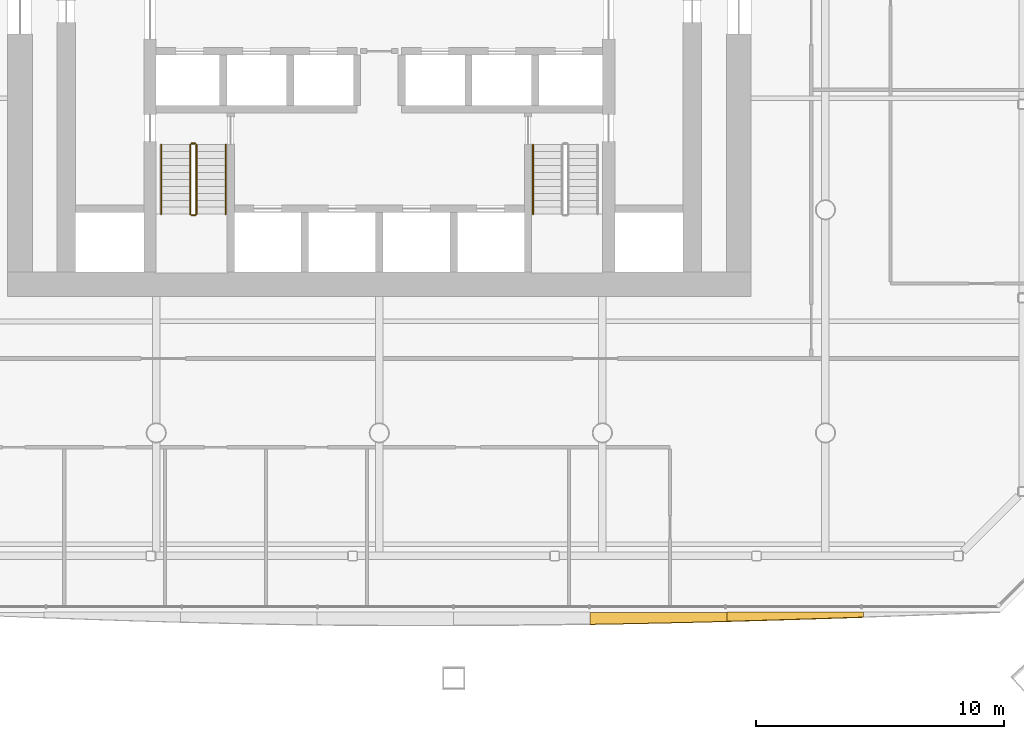
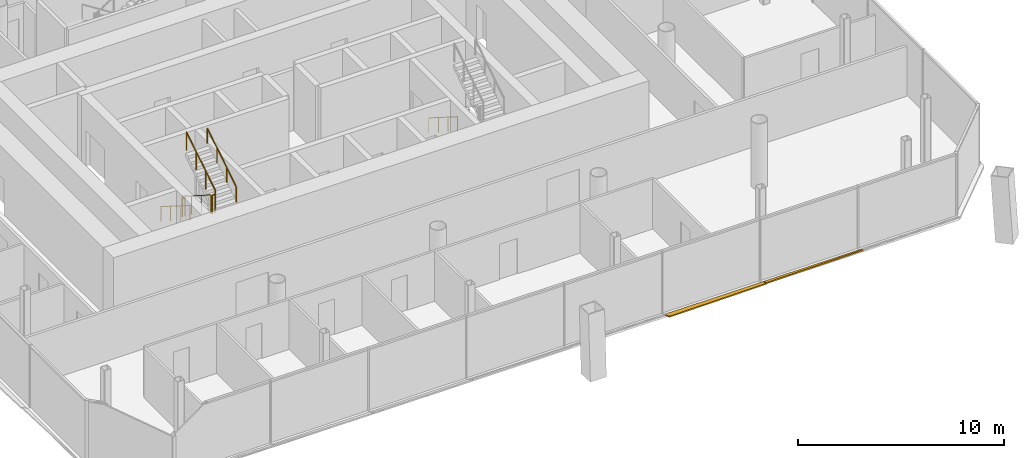
# One storey, part 16 of 19: 7 railings, 2 shading devices.
"""IFC4 building model written with IfcOpenShell, lengths in metres."""

from ifc_helpers import new_model, si_unit, direction, frame, origin, origin_2d, place, context, subcontext, project, spatial, polyline, circle, outline, extrude, material, layer, layer_set, type_object, element, save


model = new_model("IFC4")

# Units and contexts
model_context = context("Model", 3, precision=1e-05, world=origin(), true_north=direction((0.0, 1.0)))
body_context = subcontext(model_context, "Body", "Model", "MODEL_VIEW")
ifc_project = project(units=[si_unit("LENGTHUNIT", "METRE"), si_unit("AREAUNIT", "SQUARE_METRE"), si_unit("VOLUMEUNIT", "CUBIC_METRE"), si_unit("PLANEANGLEUNIT", "RADIAN"), si_unit("MASSUNIT", "GRAM", prefix="KILO")], contexts=[model_context])

# Site, building, storey
site_placement = place(None, origin())
site = spatial("IfcSite", under=ifc_project, at=site_placement, CompositionType="ELEMENT")
building_placement = place(site_placement, origin())
building = spatial("IfcBuilding", under=site, at=building_placement, Name="Tskaro Facet Tower", CompositionType="ELEMENT")
storey_placement = place(building_placement, frame((0.0, 0.0, 77.699951171875)))
storey = spatial("IfcBuildingStorey", under=building, at=storey_placement, Name="L18", CompositionType="ELEMENT", Elevation=77.699951171875)

# Shading devices
ifc_material_1 = material(Name="Bronze anodised aluminium 6063-T6", Category="aluminium")
ifc_layer = layer(ifc_material_1, 0.06005859375, Name="Bronze anodised aluminium 6063-T6")
ifc_layer_set = layer_set([ifc_layer], Name="Bronze anodised aluminium 6063-T6")
shading_device_type = type_object("IfcShadingDeviceType", Name="Bronze sun blade (FN1)", PredefinedType="USERDEFINED", material=ifc_layer_set)
shading_device_1_placement = place(storey_placement, frame((8.5107421875, -25.240478515625, 0.056396484375), z_axis=(6.986486e-06, 0.342172977871, 0.939636979459), x_axis=(0.999999999976, -2.390587e-06, -6.56476e-06)))
element("IfcShadingDevice", 1, at=shading_device_1_placement, inside=storey, type_object=shading_device_type, Name="Fin blade south 6", ObjectType="FIN", PredefinedType="USERDEFINED", context=body_context, shape_type="SweptSolid", body=[
    extrude(outline(polyline([(0.0, 0.0), (5.510742187365508, 0.0), (5.510742187292215, -0.38740201743053027), (4.822021483516127, -0.40640401203621734), (4.133056641153215, -0.4247801228736618), (3.44433593708074, -0.4422386194733313), (2.7553710932541633, -0.4586124251858708), (2.066650391507112, -0.4741309435707239), (1.37768554621687, -0.4885024441583583), (0.6889648446088784, -0.5019351190936288), (-5.423037417489421e-10, -0.5142207762316806), (0.0, 0.0)])), origin(), (0.0, 0.0, -1.0), 0.06005859375),
])
shading_device_2_placement = place(storey_placement, frame((14.021484375, -25.235595703125, 0.054443359375), z_axis=(-1.81977e-06, 0.422497258561, 0.90636420191), x_axis=(0.999999999998, 7.68848e-07, 1.649374e-06)))
element("IfcShadingDevice", 2, at=shading_device_2_placement, inside=storey, type_object=shading_device_type, Name="Fin blade south 7", ObjectType="FIN", PredefinedType="USERDEFINED", context=body_context, shape_type="SweptSolid", body=[
    extrude(outline(polyline([(0.0, 0.0), (5.510742187490876, 0.0), (5.510742187524659, -0.21549873998369964), (4.822021484474231, -0.24083763509025652), (4.13305664058383, -0.26585210112931484), (3.4443359374788725, -0.29009957745540976), (2.7553710937216493, -0.3138013443912737), (2.0666503905621596, -0.33695740193690676), (1.3776855469381126, -0.3593464697695764), (0.6889648436968276, -0.38086539914451656), (-9.015409170897083e-12, -0.4016173388064933), (0.0, 0.0)])), origin(), (0.0, 0.0, -1.0), 0.06005859375),
])

# Railings
ifc_material_2 = material(Name="Stainless steel", Category="steel")
railing_type_1 = type_object("IfcRailingType", Name="RL-GUARD-1100", PredefinedType="GUARDRAIL", material=ifc_material_2)
railing_1_placement = place(storey_placement, frame((-7.625, -6.375, 0.17724609375)))
element("IfcRailing", 3, at=railing_1_placement, inside=storey, type_object=railing_type_1, Name="L18 ST-1 stair guard 1", PredefinedType="GUARDRAIL", context=body_context, shape_type="SweptSolid", body=[
    extrude(circle(Radius=0.02392578125, at=origin_2d()), frame((0.0, 0.0, 1.076171875), z_axis=(0.0, -0.844908973607, 0.534910110503), x_axis=(1.0, 0.0, 0.0)), (0.0, 0.0, 1.0), 3.31396484375),
    extrude(circle(Radius=0.02099609375, at=origin_2d()), origin(), (0.0, 0.0, 1.0), 1.052001953125),
    extrude(circle(Radius=0.02099609375, at=origin_2d()), frame((0.0, -0.933349609375, 0.5908203125)), (0.0, 0.0, 1.0), 1.052001953125),
    extrude(circle(Radius=0.02099609375, at=origin_2d()), frame((0.0, -1.86669921875, 1.181884765625)), (0.0, 0.0, 1.0), 1.052001953125),
    extrude(circle(Radius=0.02099609375, at=origin_2d()), frame((0.0, -2.800048828125, 1.772705078125)), (0.0, 0.0, 1.0), 1.052001953125),
])
railing_2_placement = place(storey_placement, frame((-7.574951171875, -9.22509765625, 1.949951171875)))
element("IfcRailing", 4, at=railing_2_placement, inside=storey, type_object=railing_type_1, Name="L18 ST-1 stair guard 2", PredefinedType="GUARDRAIL", context=body_context, shape_type="SweptSolid", body=[
    extrude(circle(Radius=0.02392578125, at=origin_2d()), frame((0.0, 0.0, 1.076171875), z_axis=(1.0, 0.0, 0.0), x_axis=(0.0, 1.0, 0.0)), (0.0, 0.0, 1.0), 0.14990234375),
    extrude(circle(Radius=0.02099609375, at=origin_2d()), origin(), (0.0, 0.0, 1.0), 1.052001953125),
    extrude(circle(Radius=0.02099609375, at=origin_2d()), frame((0.14990234375, 0.0, 0.0)), (0.0, 0.0, 1.0), 1.052001953125),
])
railing_3_placement = place(storey_placement, frame((-7.375, -9.175048828125, 2.12744140625)))
element("IfcRailing", 5, at=railing_3_placement, inside=storey, type_object=railing_type_1, Name="L18 ST-1 stair guard 3", PredefinedType="GUARDRAIL", context=body_context, shape_type="SweptSolid", body=[
    extrude(circle(Radius=0.02392578125, at=origin_2d()), frame((0.0, 0.0, 1.076171875), z_axis=(0.0, 0.844908973607, 0.534910110503), x_axis=(-1.0, 0.0, 0.0)), (0.0, 0.0, 1.0), 3.31396484375),
    extrude(circle(Radius=0.02099609375, at=origin_2d()), origin(), (0.0, 0.0, 1.0), 1.052001953125),
    extrude(circle(Radius=0.02099609375, at=origin_2d()), frame((0.0, 0.933349609375, 0.5908203125)), (0.0, 0.0, 1.0), 1.052001953125),
    extrude(circle(Radius=0.02099609375, at=origin_2d()), frame((0.0, 1.86669921875, 1.181884765625)), (0.0, 0.0, 1.0), 1.052001953125),
    extrude(circle(Radius=0.02099609375, at=origin_2d()), frame((0.0, 2.800048828125, 1.772705078125)), (0.0, 0.0, 1.0), 1.052001953125),
])
railing_4_placement = place(storey_placement, frame((-7.574951171875, -6.324951171875, 0.0)))
element("IfcRailing", 6, at=railing_4_placement, inside=storey, type_object=railing_type_1, Name="L18 ST-1 stair guard 4", PredefinedType="GUARDRAIL", context=body_context, shape_type="SweptSolid", body=[
    extrude(circle(Radius=0.02392578125, at=origin_2d()), frame((0.0, 0.0, 1.076171875), z_axis=(1.0, 0.0, 0.0), x_axis=(0.0, 1.0, 0.0)), (0.0, 0.0, 1.0), 0.14990234375),
    extrude(circle(Radius=0.02099609375, at=origin_2d()), origin(), (0.0, 0.0, 1.0), 1.052001953125),
    extrude(circle(Radius=0.02099609375, at=origin_2d()), frame((0.14990234375, 0.0, 0.0)), (0.0, 0.0, 1.0), 1.052001953125),
])
railing_type_2 = type_object("IfcRailingType", Name="RL-HANDRAIL-900", PredefinedType="HANDRAIL", material=ifc_material_2)
railing_5_placement = place(storey_placement, frame((-8.800048828125, -6.375, 0.17724609375)))
element("IfcRailing", 7, at=railing_5_placement, inside=storey, type_object=railing_type_2, Name="L18 ST-1 stair handrail 1", PredefinedType="HANDRAIL", context=body_context, shape_type="SweptSolid", body=[
    extrude(circle(Radius=0.02392578125, at=origin_2d()), frame((0.0, 0.0, 0.8759765625), z_axis=(0.0, -0.844908973607, 0.534910110503), x_axis=(1.0, 0.0, 0.0)), (0.0, 0.0, 1.0), 3.31396484375),
    extrude(circle(Radius=0.02099609375, at=origin_2d()), origin(), (0.0, 0.0, 1.0), 0.851806640625),
    extrude(circle(Radius=0.02099609375, at=origin_2d()), frame((0.0, -0.933349609375, 0.5908203125)), (0.0, 0.0, 1.0), 0.851806640625),
    extrude(circle(Radius=0.02099609375, at=origin_2d()), frame((0.0, -1.86669921875, 1.181884765625)), (0.0, 0.0, 1.0), 0.851806640625),
    extrude(circle(Radius=0.02099609375, at=origin_2d()), frame((0.0, -2.800048828125, 1.772705078125)), (0.0, 0.0, 1.0), 0.851806640625),
])
railing_6_placement = place(storey_placement, frame((-6.199951171875, -9.175048828125, 2.12744140625)))
element("IfcRailing", 8, at=railing_6_placement, inside=storey, type_object=railing_type_2, Name="L18 ST-1 stair handrail 2", PredefinedType="HANDRAIL", context=body_context, shape_type="SweptSolid", body=[
    extrude(circle(Radius=0.02392578125, at=origin_2d()), frame((0.0, 0.0, 0.8759765625), z_axis=(0.0, 0.844908973607, 0.534910110503), x_axis=(-1.0, 0.0, 0.0)), (0.0, 0.0, 1.0), 3.31396484375),
    extrude(circle(Radius=0.02099609375, at=origin_2d()), origin(), (0.0, 0.0, 1.0), 0.851806640625),
    extrude(circle(Radius=0.02099609375, at=origin_2d()), frame((0.0, 0.933349609375, 0.5908203125)), (0.0, 0.0, 1.0), 0.851806640625),
    extrude(circle(Radius=0.02099609375, at=origin_2d()), frame((0.0, 1.86669921875, 1.181884765625)), (0.0, 0.0, 1.0), 0.851806640625),
    extrude(circle(Radius=0.02099609375, at=origin_2d()), frame((0.0, 2.800048828125, 1.772705078125)), (0.0, 0.0, 1.0), 0.851806640625),
])
railing_7_placement = place(storey_placement, frame((6.199951171875, -6.375, 0.17724609375)))
element("IfcRailing", 9, at=railing_7_placement, inside=storey, type_object=railing_type_2, Name="L18 ST-2 stair handrail 1", PredefinedType="HANDRAIL", context=body_context, shape_type="SweptSolid", body=[
    extrude(circle(Radius=0.02392578125, at=origin_2d()), frame((0.0, 0.0, 0.8759765625), z_axis=(0.0, -0.844908973607, 0.534910110503), x_axis=(1.0, 0.0, 0.0)), (0.0, 0.0, 1.0), 3.31396484375),
    extrude(circle(Radius=0.02099609375, at=origin_2d()), origin(), (0.0, 0.0, 1.0), 0.851806640625),
    extrude(circle(Radius=0.02099609375, at=origin_2d()), frame((0.0, -0.933349609375, 0.5908203125)), (0.0, 0.0, 1.0), 0.851806640625),
    extrude(circle(Radius=0.02099609375, at=origin_2d()), frame((0.0, -1.86669921875, 1.181884765625)), (0.0, 0.0, 1.0), 0.851806640625),
    extrude(circle(Radius=0.02099609375, at=origin_2d()), frame((0.0, -2.800048828125, 1.772705078125)), (0.0, 0.0, 1.0), 0.851806640625),
])

save(model, "model.ifc")
